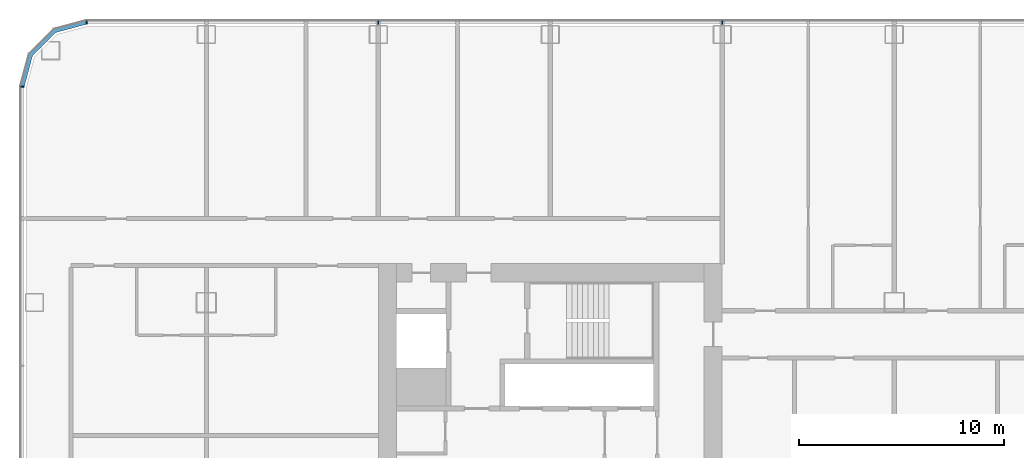
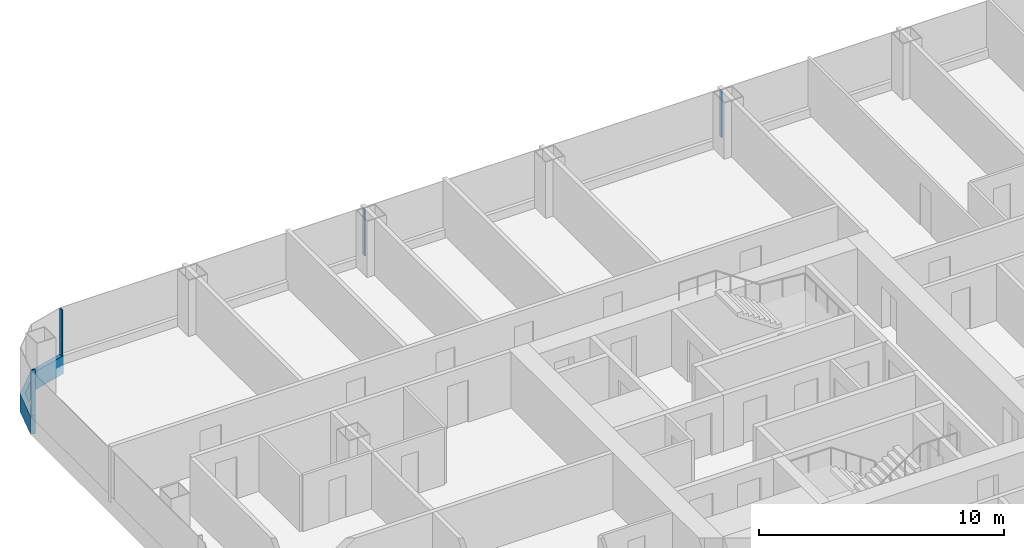
# One storey, part 6 of 28: 5 members, 3 elements without a shape of their own.
"""IFC4 building model written with IfcOpenShell, lengths in metres."""

from ifc_helpers import new_model, si_unit, direction, frame, origin, origin_2d, place, context, subcontext, project, spatial, polyline, rectangle, outline, extrude, material, layer, layer_set, material_profile, profile_set, type_object, element, aggregate, save


model = new_model("IFC4")

# Units and contexts
model_context = context("Model", 3, precision=1e-05, world=origin(), true_north=direction((0.0, 1.0)))
body_context = subcontext(model_context, "Body", "Model", "MODEL_VIEW")
ifc_project = project(units=[si_unit("LENGTHUNIT", "METRE"), si_unit("AREAUNIT", "SQUARE_METRE"), si_unit("VOLUMEUNIT", "CUBIC_METRE"), si_unit("PLANEANGLEUNIT", "RADIAN"), si_unit("MASSUNIT", "GRAM", prefix="KILO")], contexts=[model_context])

# Site, building, storey
site_placement = place(None, origin())
site = spatial("IfcSite", under=ifc_project, at=site_placement, CompositionType="ELEMENT")
building_placement = place(site_placement, origin())
building = spatial("IfcBuilding", under=site, at=building_placement, Name="Hakoniwa Tower and Hamabe Station Hall", CompositionType="ELEMENT")
storey_placement = place(building_placement, frame((0.0, 0.0, 48.60009765625)))
storey = spatial("IfcBuildingStorey", under=building, at=storey_placement, Name="L13", CompositionType="ELEMENT", Elevation=48.60009765625)

# Curtain wall, member
ifc_material_1 = material(Name="Dark low-e laminated glass", Category="glass")
ifc_layer = layer(ifc_material_1, 0.199951171875)
ifc_layer_set = layer_set([ifc_layer], Name="CW-1 UNITISED GUEST")
curtain_wall_type = type_object("IfcCurtainWallType", Name="CW-1 UNITISED GUEST", PredefinedType="NOTDEFINED", material=ifc_layer_set)
curtain_wall_1_placement = place(storey_placement, origin())
curtain_wall_1 = element("IfcCurtainWall", 1, at=curtain_wall_1_placement, inside=storey, type_object=curtain_wall_type, Name="CW-1 curtain wall", PredefinedType="NOTDEFINED")
ifc_material_2 = material(Name="Aluminium 6063-T5 black anodised", Category="aluminium")
ifc_material_profile_1 = material_profile(ifc_material_2, rectangle(XDim=0.199951171875, YDim=0.89990234375, at=origin_2d()), Name="CW SLAB-EDGE BAND 900X200")
ifc_profile_set_1 = profile_set([ifc_material_profile_1], Name="Aluminium 6063-T5 black anodised")
member_type_1 = type_object("IfcMemberType", Name="CW SLAB-EDGE BAND 900X200", PredefinedType="USERDEFINED", material=ifc_profile_set_1)
member_1_placement = place(storey_placement, frame((0.0, 0.0, -0.550048828125)))
member_1 = element("IfcMember", 2, at=member_1_placement, type_object=member_type_1, Name="CW-1 transom", ObjectType="TRANSOM", PredefinedType="USERDEFINED", context=body_context, shape_type="SweptSolid", body=[
    extrude(outline(polyline([(-47.839599609375, 20.300048828125), (-49.455322265625, 19.866943359375), (-50.6669921875, 18.6552734375), (-51.10009765625, 17.03955078125), (-50.90673828125, 16.98779296875), (-50.48779296875, 18.5517578125), (-49.351806640625, 19.687744140625), (-47.787841796875, 20.10693359375), (-47.839599609375, 20.300048828125)])), origin(), (0.0, 0.0, 1.0), 0.89990234375),
])
aggregate(curtain_wall_1, [member_1])

# Curtain wall, members
curtain_wall_2_placement = place(storey_placement, origin())
curtain_wall_2 = element("IfcCurtainWall", 3, at=curtain_wall_2_placement, inside=storey, type_object=curtain_wall_type, Name="CW-1 curtain wall", PredefinedType="NOTDEFINED")
ifc_material_3 = material(Name="Aluminium 6063-T5 black anodised", Category="aluminium")
ifc_material_profile_2 = material_profile(ifc_material_3, rectangle(XDim=0.06005859375, YDim=0.179931640625, at=origin_2d()), Name="CW-1 MULLION 60X180")
ifc_profile_set_2 = profile_set([ifc_material_profile_2], Name="Aluminium 6063-T5 black anodised")
member_type_2 = type_object("IfcMemberType", Name="CW-1 MULLION 60X180", PredefinedType="MULLION", material=ifc_profile_set_2)
member_2_placement = place(storey_placement, frame((-16.800048828125, 20.181884765625, 0.349853515625), z_axis=(0.0, 0.0, 1.0), x_axis=(-1.0, 0.0, 0.0)))
member_2 = element("IfcMember", 4, at=member_2_placement, type_object=member_type_2, Name="CW-1 mullion", PredefinedType="MULLION", context=body_context, shape_type="SweptSolid", body=[
    extrude(rectangle(XDim=0.06005859375, YDim=0.179931640625, at=origin_2d()), origin(), (0.0, 0.0, 1.0), 2.300048828125),
])
member_3_placement = place(storey_placement, frame((-33.60009765625, 20.181884765625, 0.349853515625), z_axis=(0.0, 0.0, 1.0), x_axis=(-1.0, 0.0, 0.0)))
member_3 = element("IfcMember", 5, at=member_3_placement, type_object=member_type_2, Name="CW-1 mullion", PredefinedType="MULLION", context=body_context, shape_type="SweptSolid", body=[
    extrude(rectangle(XDim=0.06005859375, YDim=0.179931640625, at=origin_2d()), origin(), (0.0, 0.0, 1.0), 2.300048828125),
])
member_4_placement = place(storey_placement, frame((-47.839599609375, 20.181884765625, 0.349853515625), z_axis=(0.0, 0.0, 1.0), x_axis=(-1.0, 0.0, 0.0)))
member_4 = element("IfcMember", 6, at=member_4_placement, type_object=member_type_2, Name="CW-1 mullion", PredefinedType="MULLION", context=body_context, shape_type="SweptSolid", body=[
    extrude(rectangle(XDim=0.06005859375, YDim=0.179931640625, at=origin_2d()), origin(), (0.0, 0.0, 1.0), 2.300048828125),
])
aggregate(curtain_wall_2, [member_2, member_3, member_4])

# Curtain wall, member
curtain_wall_3_placement = place(storey_placement, origin())
curtain_wall_3 = element("IfcCurtainWall", 7, at=curtain_wall_3_placement, inside=storey, type_object=curtain_wall_type, Name="CW-1 curtain wall", PredefinedType="NOTDEFINED")
member_5_placement = place(storey_placement, frame((-50.98193359375, 17.03955078125, 0.349853515625), z_axis=(0.0, 0.0, 1.0), x_axis=(0.0, -1.0, 0.0)))
member_5 = element("IfcMember", 8, at=member_5_placement, type_object=member_type_2, Name="CW-1 mullion", PredefinedType="MULLION", context=body_context, shape_type="SweptSolid", body=[
    extrude(rectangle(XDim=0.06005859375, YDim=0.179931640625, at=origin_2d()), origin(), (0.0, 0.0, 1.0), 2.300048828125),
])
aggregate(curtain_wall_3, [member_5])

save(model, "model.ifc")
